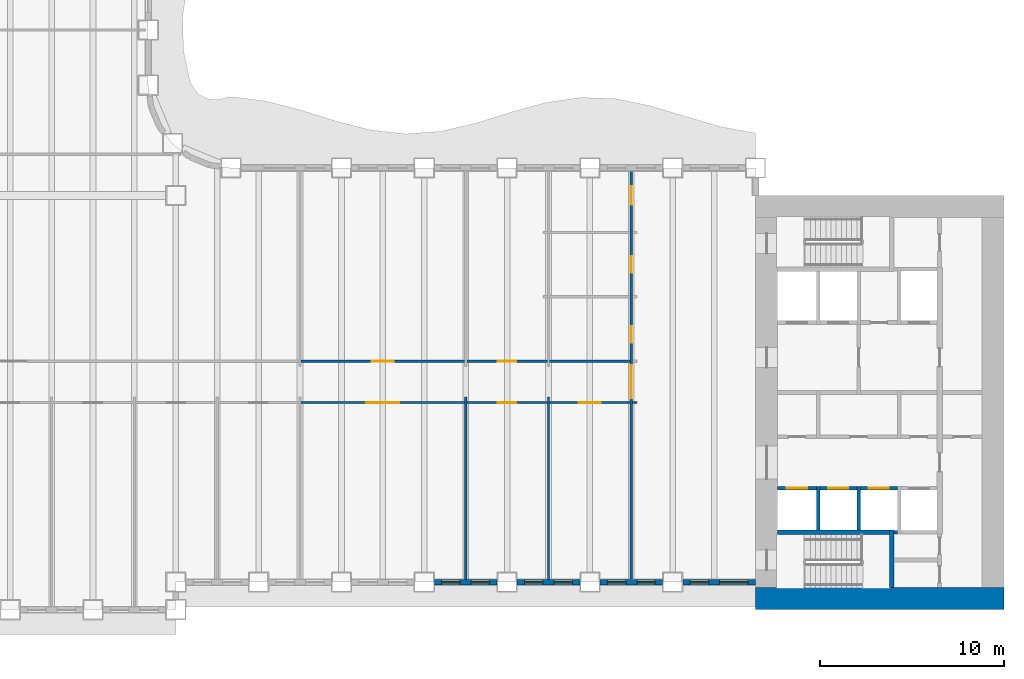
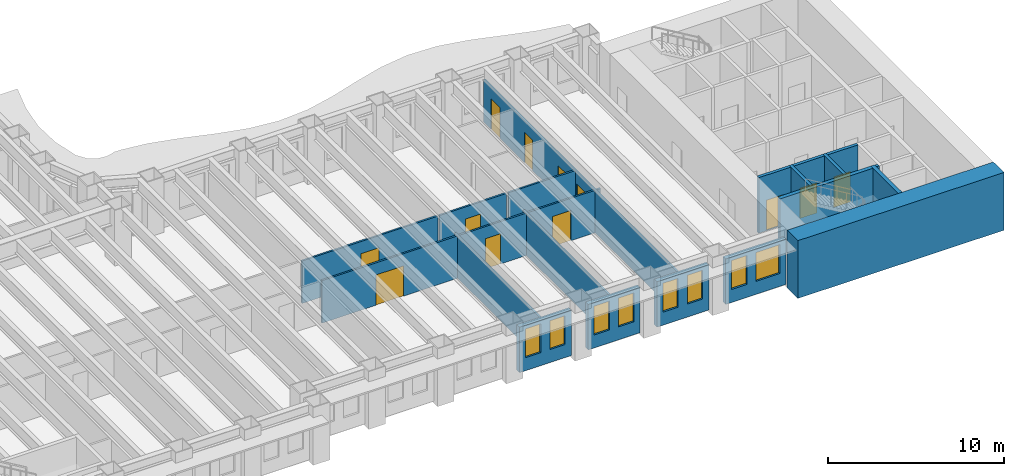
# One storey, part 5 of 16: 23 walls, 12 doors, 8 windows, 20 openings.
"""IFC4 building model written with IfcOpenShell, lengths in metres."""

from ifc_helpers import new_model, si_unit, direction, frame, frame_2d, origin, place, context, subcontext, project, spatial, rectangle, extrude, material, layer, layer_set, type_object, element, fill, save


model = new_model("IFC4")

# Units and contexts
model_context = context("Model", 3, precision=1e-05, world=origin(), true_north=direction((0.0, 1.0)))
body_context = subcontext(model_context, "Body", "Model", "MODEL_VIEW")
ifc_project = project(units=[si_unit("LENGTHUNIT", "METRE"), si_unit("AREAUNIT", "SQUARE_METRE"), si_unit("VOLUMEUNIT", "CUBIC_METRE"), si_unit("PLANEANGLEUNIT", "RADIAN"), si_unit("MASSUNIT", "GRAM", prefix="KILO")], contexts=[model_context])

# Site, building, storey
site_placement = place(None, origin())
site = spatial("IfcSite", under=ifc_project, at=site_placement, CompositionType="ELEMENT")
building_placement = place(site_placement, origin())
building = spatial("IfcBuilding", under=site, at=building_placement, Name="Sennacour Bend Tower", CompositionType="ELEMENT")
storey_placement = place(building_placement, frame((0.0, 0.0, 45.0)))
storey = spatial("IfcBuildingStorey", under=building, at=storey_placement, Name="L09", CompositionType="ELEMENT", Elevation=45.0)

# Walls
ifc_material_1 = material(Name="Concrete C80/95", Category="concrete")
ifc_layer_1 = layer(ifc_material_1, 1.199951171875, Name="Concrete C80/95", Category="concrete")
ifc_layer_set_1 = layer_set([ifc_layer_1], Name="Concrete C80/95")
wall_type_1 = type_object("IfcWallType", Name="Core wall 1200 C80/95", PredefinedType="SHEAR", material=ifc_layer_set_1)
wall_1_placement = place(storey_placement, frame((67.5, 0.60009765625, -0.14990234375), z_axis=(0.0, 0.0, 1.0), x_axis=(-1.0, 0.0, 0.0)))
element("IfcWall", 1, at=wall_1_placement, inside=storey, type_object=wall_type_1, Name="Core A wall L09 S", PredefinedType="SHEAR", context=body_context, shape_type="SweptSolid", body=[
    extrude(rectangle(XDim=13.5, YDim=1.199951171875, at=frame_2d((6.75, 0.0))), origin(), (0.0, 0.0, 1.0), 4.0),
])
ifc_material_2 = material(Name="Plasterboard partition on steel studs", Category="steel")
ifc_layer_2 = layer(ifc_material_2, 0.1201171875, Name="Plasterboard partition on steel studs", Category="steel")
ifc_layer_set_2 = layer_set([ifc_layer_2], Name="Plasterboard partition on steel studs")
wall_type_2 = type_object("IfcWallType", Name="Partition 120", PredefinedType="PARTITIONING", material=ifc_layer_set_2)
for number, where, z_axis, x_axis, name in (
    (2, (38.25, 1.64990234375, 0.0), (0.0, 0.0, 1.0), (0.0, 1.0, 0.0), "P-L09-W028a"),
    (3, (42.75, 1.64990234375, 0.0), (0.0, 0.0, 1.0), (0.0, 1.0, 0.0), "P-L09-W030a"),
):
    element("IfcWall", number, at=place(storey_placement, frame(where, z_axis=z_axis, x_axis=x_axis)), inside=storey, type_object=wall_type_2, Name=name, PredefinedType="PARTITIONING", context=body_context, shape_type="SweptSolid", body=[
        extrude(rectangle(XDim=9.900146484375, YDim=0.1201171875, at=frame_2d((4.9501953125, 0.0))), origin(), (0.0, 0.0, 1.0), 2.93798828125),
    ])

# Wall, opening, door
wall_2_placement = place(storey_placement, frame((29.31005859375, 11.25, 0.0), z_axis=(0.0, 0.0, 1.0), x_axis=(1.0, 0.0, 0.0)))
wall_2 = element("IfcWall", 4, at=wall_2_placement, inside=storey, type_object=wall_type_2, Name="P-L09-W059af", PredefinedType="PARTITIONING", context=body_context, shape_type="SweptSolid", body=[
    extrude(rectangle(XDim=8.8798828125, YDim=0.1201171875, at=frame_2d((4.43994140625, 0.0))), origin(), (0.0, 0.0, 1.0), 2.93798828125),
])
opening_1_placement = place(wall_2_placement, frame((3.539794921875, 0.0, 0.0)))
opening_1 = element("IfcOpeningElement", 5, at=opening_1_placement, cuts=wall_2, Name="Opening OD3", PredefinedType="OPENING", context=body_context, shape_type="SweptSolid", body=[
    extrude(rectangle(XDim=1.800048828125, YDim=2.10009765625, at=frame_2d((0.89990234375, 1.050048828125))), frame((0.0, 0.070068359375, 0.0), z_axis=(0.0, -1.0, 0.0), x_axis=(1.0, 0.0, 0.0)), (0.0, 0.0, 1.0), 0.14013671875),
])
ifc_material_3 = material(Name="Timber", Category="wood")
door_type_1 = type_object("IfcDoorType", Name="DR-OFFICE-1800", OperationType="NOTDEFINED", PredefinedType="DOOR", material=ifc_material_3)
door_1_placement = place(opening_1_placement, origin())
door_1 = element("IfcDoor", 6, at=door_1_placement, inside=storey, type_object=door_type_1, Name="Door", OperationType="DOUBLE_DOOR_SINGLE_SWING", OverallHeight=2.10009765625, OverallWidth=1.800048828125, PredefinedType="DOOR", context=body_context, shape_type="SweptSolid", body=[
    extrude(rectangle(XDim=1.800048828125, YDim=2.10009765625, at=frame_2d((0.89990234375, 1.050048828125))), frame((0.0, 0.02490234375, 0.0), z_axis=(0.0, -1.0, 0.0), x_axis=(1.0, 0.0, 0.0)), (0.0, 0.0, 1.0), 0.050048828125),
])
fill(opening_1, door_1)

wall_3_placement = place(storey_placement, frame((38.31005859375, 11.25, 0.0), z_axis=(0.0, 0.0, 1.0), x_axis=(1.0, 0.0, 0.0)))
wall_3 = element("IfcWall", 7, at=wall_3_placement, inside=storey, type_object=wall_type_2, Name="P-L09-W059ag", PredefinedType="PARTITIONING", context=body_context, shape_type="SweptSolid", body=[
    extrude(rectangle(XDim=4.3798828125, YDim=0.1201171875, at=frame_2d((2.18994140625, 0.0))), origin(), (0.0, 0.0, 1.0), 2.93798828125),
])
opening_2_placement = place(wall_3_placement, frame((1.68994140625, 0.0, 0.0)))
opening_2 = element("IfcOpeningElement", 8, at=opening_2_placement, cuts=wall_3, Name="Opening OD2", PredefinedType="OPENING", context=body_context, shape_type="SweptSolid", body=[
    extrude(rectangle(XDim=1.0, YDim=2.10009765625, at=frame_2d((0.5, 1.050048828125))), frame((0.0, 0.070068359375, 0.0), z_axis=(0.0, -1.0, 0.0), x_axis=(1.0, 0.0, 0.0)), (0.0, 0.0, 1.0), 0.14013671875),
])
door_type_2 = type_object("IfcDoorType", Name="DR-OFFICE-1000", OperationType="NOTDEFINED", PredefinedType="DOOR", material=ifc_material_3)
door_2_placement = place(opening_2_placement, origin())
door_2 = element("IfcDoor", 9, at=door_2_placement, inside=storey, type_object=door_type_2, Name="Door", OperationType="SINGLE_SWING_LEFT", OverallHeight=2.10009765625, OverallWidth=1.0, PredefinedType="DOOR", context=body_context, shape_type="SweptSolid", body=[
    extrude(rectangle(XDim=1.0, YDim=2.10009765625, at=frame_2d((0.5, 1.050048828125))), frame((0.0, 0.02490234375, 0.0), z_axis=(0.0, -1.0, 0.0), x_axis=(1.0, 0.0, 0.0)), (0.0, 0.0, 1.0), 0.050048828125),
])
fill(opening_2, door_2)

wall_4_placement = place(storey_placement, frame((42.81005859375, 11.25, 0.0), z_axis=(0.0, 0.0, 1.0), x_axis=(1.0, 0.0, 0.0)))
wall_4 = element("IfcWall", 10, at=wall_4_placement, inside=storey, type_object=wall_type_2, Name="P-L09-W059ah", PredefinedType="PARTITIONING", context=body_context, shape_type="SweptSolid", body=[
    extrude(rectangle(XDim=4.3798828125, YDim=0.1201171875, at=frame_2d((2.18994140625, 0.0))), origin(), (0.0, 0.0, 1.0), 2.93798828125),
])
opening_3_placement = place(wall_4_placement, frame((1.58984375, 0.0, 0.0)))
opening_3 = element("IfcOpeningElement", 11, at=opening_3_placement, cuts=wall_4, Name="Opening OD", PredefinedType="OPENING", context=body_context, shape_type="SweptSolid", body=[
    extrude(rectangle(XDim=1.199951171875, YDim=2.10009765625, at=frame_2d((0.60009765625, 1.050048828125))), frame((0.0, 0.070068359375, 0.0), z_axis=(0.0, -1.0, 0.0), x_axis=(1.0, 0.0, 0.0)), (0.0, 0.0, 1.0), 0.14013671875),
])
door_type_3 = type_object("IfcDoorType", Name="DR-OFFICE-1200", OperationType="NOTDEFINED", PredefinedType="DOOR", material=ifc_material_3)
door_3_placement = place(opening_3_placement, origin())
door_3 = element("IfcDoor", 12, at=door_3_placement, inside=storey, type_object=door_type_3, Name="Door", OperationType="SINGLE_SWING_LEFT", OverallHeight=2.10009765625, OverallWidth=1.199951171875, PredefinedType="DOOR", context=body_context, shape_type="SweptSolid", body=[
    extrude(rectangle(XDim=1.199951171875, YDim=2.10009765625, at=frame_2d((0.60009765625, 1.050048828125))), frame((0.0, 0.02490234375, 0.0), z_axis=(0.0, -1.0, 0.0), x_axis=(1.0, 0.0, 0.0)), (0.0, 0.0, 1.0), 0.050048828125),
])
fill(opening_3, door_3)

# Wall
wall_5_placement = place(storey_placement, frame((47.31005859375, 11.25, 0.0), z_axis=(0.0, 0.0, 1.0), x_axis=(1.0, 0.0, 0.0)))
element("IfcWall", 13, at=wall_5_placement, inside=storey, type_object=wall_type_2, Name="P-L09-W059ai", PredefinedType="PARTITIONING", context=body_context, shape_type="SweptSolid", body=[
    extrude(rectangle(XDim=0.239990234375, YDim=0.1201171875, at=frame_2d((0.1201171875, 0.0))), origin(), (0.0, 0.0, 1.0), 2.93798828125),
])

# Wall, opening, door
wall_6_placement = place(storey_placement, frame((29.31005859375, 13.5, 0.0), z_axis=(0.0, 0.0, 1.0), x_axis=(1.0, 0.0, 0.0)))
wall_6 = element("IfcWall", 14, at=wall_6_placement, inside=storey, type_object=wall_type_2, Name="P-L09-W061ad", PredefinedType="PARTITIONING", context=body_context, shape_type="SweptSolid", body=[
    extrude(rectangle(XDim=8.8798828125, YDim=0.1201171875, at=frame_2d((4.43994140625, 0.0))), origin(), (0.0, 0.0, 1.0), 2.93798828125),
])
opening_4_placement = place(wall_6_placement, frame((3.83984375, 0.0, 0.0)))
opening_4 = element("IfcOpeningElement", 15, at=opening_4_placement, cuts=wall_6, Name="Opening OD", PredefinedType="OPENING", context=body_context, shape_type="SweptSolid", body=[
    extrude(rectangle(XDim=1.199951171875, YDim=2.10009765625, at=frame_2d((0.60009765625, 1.050048828125))), frame((0.0, 0.070068359375, 0.0), z_axis=(0.0, -1.0, 0.0), x_axis=(1.0, 0.0, 0.0)), (0.0, 0.0, 1.0), 0.14013671875),
])
door_4_placement = place(opening_4_placement, origin())
door_4 = element("IfcDoor", 16, at=door_4_placement, inside=storey, type_object=door_type_3, Name="Door", OperationType="SINGLE_SWING_LEFT", OverallHeight=2.10009765625, OverallWidth=1.199951171875, PredefinedType="DOOR", context=body_context, shape_type="SweptSolid", body=[
    extrude(rectangle(XDim=1.199951171875, YDim=2.10009765625, at=frame_2d((0.60009765625, 1.050048828125))), frame((0.0, 0.02490234375, 0.0), z_axis=(0.0, -1.0, 0.0), x_axis=(1.0, 0.0, 0.0)), (0.0, 0.0, 1.0), 0.050048828125),
])
fill(opening_4, door_4)

wall_7_placement = place(storey_placement, frame((38.31005859375, 13.5, 0.0), z_axis=(0.0, 0.0, 1.0), x_axis=(1.0, 0.0, 0.0)))
wall_7 = element("IfcWall", 17, at=wall_7_placement, inside=storey, type_object=wall_type_2, Name="P-L09-W061ae", PredefinedType="PARTITIONING", context=body_context, shape_type="SweptSolid", body=[
    extrude(rectangle(XDim=4.3798828125, YDim=0.1201171875, at=frame_2d((2.18994140625, 0.0))), origin(), (0.0, 0.0, 1.0), 2.93798828125),
])
opening_5_placement = place(wall_7_placement, frame((1.68994140625, 0.0, 0.0)))
opening_5 = element("IfcOpeningElement", 18, at=opening_5_placement, cuts=wall_7, Name="Opening OD2", PredefinedType="OPENING", context=body_context, shape_type="SweptSolid", body=[
    extrude(rectangle(XDim=1.0, YDim=2.10009765625, at=frame_2d((0.5, 1.050048828125))), frame((0.0, 0.070068359375, 0.0), z_axis=(0.0, -1.0, 0.0), x_axis=(1.0, 0.0, 0.0)), (0.0, 0.0, 1.0), 0.14013671875),
])
door_5_placement = place(opening_5_placement, origin())
door_5 = element("IfcDoor", 19, at=door_5_placement, inside=storey, type_object=door_type_2, Name="Door", OperationType="SINGLE_SWING_LEFT", OverallHeight=2.10009765625, OverallWidth=1.0, PredefinedType="DOOR", context=body_context, shape_type="SweptSolid", body=[
    extrude(rectangle(XDim=1.0, YDim=2.10009765625, at=frame_2d((0.5, 1.050048828125))), frame((0.0, 0.02490234375, 0.0), z_axis=(0.0, -1.0, 0.0), x_axis=(1.0, 0.0, 0.0)), (0.0, 0.0, 1.0), 0.050048828125),
])
fill(opening_5, door_5)

# Wall
wall_8_placement = place(storey_placement, frame((42.81005859375, 13.5, 0.0), z_axis=(0.0, 0.0, 1.0), x_axis=(1.0, 0.0, 0.0)))
element("IfcWall", 20, at=wall_8_placement, inside=storey, type_object=wall_type_2, Name="P-L09-W061af", PredefinedType="PARTITIONING", context=body_context, shape_type="SweptSolid", body=[
    extrude(rectangle(XDim=4.3798828125, YDim=0.1201171875, at=frame_2d((2.18994140625, 0.0))), origin(), (0.0, 0.0, 1.0), 2.93798828125),
])

# Wall, openings, doors
ifc_layer_3 = layer(ifc_material_2, 0.1201171875, Name="Plasterboard partition on steel studs", Category="steel")
ifc_layer_set_3 = layer_set([ifc_layer_3], Name="Plasterboard partition on steel studs")
wall_type_3 = type_object("IfcWallType", Name="Partition 120 EI 30", PredefinedType="PARTITIONING", material=ifc_layer_set_3)
wall_9_placement = place(storey_placement, frame((47.25, 1.64990234375, 0.0), z_axis=(0.0, 0.0, 1.0), x_axis=(0.0, 1.0, 0.0)))
wall_9 = element("IfcWall", 21, at=wall_9_placement, inside=storey, type_object=wall_type_3, Name="P-L09-W032a", PredefinedType="PARTITIONING", context=body_context, shape_type="SweptSolid", body=[
    extrude(rectangle(XDim=22.2001953125, YDim=0.1201171875, at=frame_2d((11.10009765625, 0.0))), origin(), (0.0, 0.0, 1.0), 2.93798828125),
])
opening_6_placement = place(wall_9_placement, frame((9.8251953125, 0.0, 0.0)))
opening_6 = element("IfcOpeningElement", 22, at=opening_6_placement, cuts=wall_9, Name="Opening KD3", PredefinedType="OPENING", context=body_context, shape_type="SweptSolid", body=[
    extrude(rectangle(XDim=1.800048828125, YDim=2.10009765625, at=frame_2d((0.89990234375, 1.050048828125))), frame((0.0, 0.070068359375, 0.0), z_axis=(0.0, -1.0, 0.0), x_axis=(1.0, 0.0, 0.0)), (0.0, 0.0, 1.0), 0.14013671875),
])
opening_7_placement = place(wall_9_placement, frame((12.85009765625, 0.0, 0.0)))
opening_7 = element("IfcOpeningElement", 23, at=opening_7_placement, cuts=wall_9, Name="Opening WD", PredefinedType="OPENING", context=body_context, shape_type="SweptSolid", body=[
    extrude(rectangle(XDim=0.89990234375, YDim=2.10009765625, at=frame_2d((0.449951171875, 1.050048828125))), frame((0.0, 0.070068359375, 0.0), z_axis=(0.0, -1.0, 0.0), x_axis=(1.0, 0.0, 0.0)), (0.0, 0.0, 1.0), 0.14013671875),
])
opening_8_placement = place(wall_9_placement, frame((16.650146484375, 0.0, 0.0)))
opening_8 = element("IfcOpeningElement", 24, at=opening_8_placement, cuts=wall_9, Name="Opening WD", PredefinedType="OPENING", context=body_context, shape_type="SweptSolid", body=[
    extrude(rectangle(XDim=0.89990234375, YDim=2.10009765625, at=frame_2d((0.449951171875, 1.050048828125))), frame((0.0, 0.070068359375, 0.0), z_axis=(0.0, -1.0, 0.0), x_axis=(1.0, 0.0, 0.0)), (0.0, 0.0, 1.0), 0.14013671875),
])
opening_9_placement = place(wall_9_placement, frame((20.35009765625, 0.0, 0.0)))
opening_9 = element("IfcOpeningElement", 25, at=opening_9_placement, cuts=wall_9, Name="Opening AD", PredefinedType="OPENING", context=body_context, shape_type="SweptSolid", body=[
    extrude(rectangle(XDim=1.0, YDim=2.10009765625, at=frame_2d((0.5, 1.050048828125))), frame((0.0, 0.070068359375, 0.0), z_axis=(0.0, -1.0, 0.0), x_axis=(1.0, 0.0, 0.0)), (0.0, 0.0, 1.0), 0.14013671875),
])
door_type_4 = type_object("IfcDoorType", Name="DR-ACC-WC-1000", OperationType="NOTDEFINED", PredefinedType="DOOR", material=ifc_material_3)
door_6_placement = place(opening_9_placement, origin())
door_6 = element("IfcDoor", 26, at=door_6_placement, inside=storey, type_object=door_type_4, Name="Door", OperationType="SINGLE_SWING_RIGHT", OverallHeight=2.10009765625, OverallWidth=1.0, PredefinedType="DOOR", context=body_context, shape_type="SweptSolid", body=[
    extrude(rectangle(XDim=1.0, YDim=2.10009765625, at=frame_2d((0.5, 1.050048828125))), frame((0.0, 0.02490234375, 0.0), z_axis=(0.0, -1.0, 0.0), x_axis=(1.0, 0.0, 0.0)), (0.0, 0.0, 1.0), 0.050048828125),
])
fill(opening_9, door_6)
ifc_material_4 = material(Name="Painted steel", Category="steel")
door_type_5 = type_object("IfcDoorType", Name="DR-CORRIDOR-1800", OperationType="NOTDEFINED", PredefinedType="DOOR", material=ifc_material_4)
door_7_placement = place(opening_6_placement, origin())
door_7 = element("IfcDoor", 27, at=door_7_placement, inside=storey, type_object=door_type_5, Name="Door", OperationType="DOUBLE_DOOR_SINGLE_SWING", OverallHeight=2.10009765625, OverallWidth=1.800048828125, PredefinedType="DOOR", context=body_context, shape_type="SweptSolid", body=[
    extrude(rectangle(XDim=1.800048828125, YDim=2.10009765625, at=frame_2d((0.89990234375, 1.050048828125))), frame((0.0, 0.02490234375, 0.0), z_axis=(0.0, -1.0, 0.0), x_axis=(1.0, 0.0, 0.0)), (0.0, 0.0, 1.0), 0.050048828125),
])
fill(opening_6, door_7)
door_type_6 = type_object("IfcDoorType", Name="DR-WC-900", OperationType="NOTDEFINED", PredefinedType="DOOR", material=ifc_material_3)
door_8_placement = place(opening_7_placement, origin())
door_8 = element("IfcDoor", 28, at=door_8_placement, inside=storey, type_object=door_type_6, Name="Door", OperationType="SINGLE_SWING_RIGHT", OverallHeight=2.10009765625, OverallWidth=0.89990234375, PredefinedType="DOOR", context=body_context, shape_type="SweptSolid", body=[
    extrude(rectangle(XDim=0.89990234375, YDim=2.10009765625, at=frame_2d((0.449951171875, 1.050048828125))), frame((0.0, 0.02490234375, 0.0), z_axis=(0.0, -1.0, 0.0), x_axis=(1.0, 0.0, 0.0)), (0.0, 0.0, 1.0), 0.050048828125),
])
fill(opening_7, door_8)
door_9_placement = place(opening_8_placement, origin())
door_9 = element("IfcDoor", 29, at=door_9_placement, inside=storey, type_object=door_type_6, Name="Door", OperationType="SINGLE_SWING_RIGHT", OverallHeight=2.10009765625, OverallWidth=0.89990234375, PredefinedType="DOOR", context=body_context, shape_type="SweptSolid", body=[
    extrude(rectangle(XDim=0.89990234375, YDim=2.10009765625, at=frame_2d((0.449951171875, 1.050048828125))), frame((0.0, 0.02490234375, 0.0), z_axis=(0.0, -1.0, 0.0), x_axis=(1.0, 0.0, 0.0)), (0.0, 0.0, 1.0), 0.050048828125),
])
fill(opening_8, door_9)

# Wall, openings, windows
ifc_material_5 = material(Name="Warm limestone cladding", Category="masonry")
ifc_layer_4 = layer(ifc_material_5, 0.050048828125, Name="Warm limestone cladding", Category="masonry")
ifc_material_6 = material(Name="Precast concrete C40/50", Category="concrete")
ifc_layer_5 = layer(ifc_material_6, 0.25, Name="Precast concrete C40/50", Category="concrete")
ifc_layer_set_4 = layer_set([ifc_layer_4, ifc_layer_5], Name="Precast concrete C40/50 with limestone cladding")
wall_type_4 = type_object("IfcWallType", Name="STONE-CLAD PRECAST SPANDREL 300", PredefinedType="STANDARD", material=ifc_layer_set_4)
wall_10_placement = place(storey_placement, frame((36.550048828125, 1.5, 0.0), z_axis=(0.0, 0.0, 1.0), x_axis=(1.0, 0.0, 0.0)))
wall_10 = element("IfcWall", 30, at=wall_10_placement, inside=storey, type_object=wall_type_4, Name="Stone spandrel and pier wall L09 02.03", PredefinedType="STANDARD", context=body_context, shape_type="SweptSolid", body=[
    extrude(rectangle(XDim=3.39990234375, YDim=0.300048828125, at=frame_2d((1.699951171875, 0.0))), origin(), (0.0, 0.0, 1.0), 3.14404296875),
])
opening_10_placement = place(wall_10_placement, frame((0.39990234375, 0.0, 0.89990234375)))
opening_10 = element("IfcOpeningElement", 31, at=opening_10_placement, cuts=wall_10, Name="Opening W8", PredefinedType="OPENING", context=body_context, shape_type="SweptSolid", body=[
    extrude(rectangle(XDim=1.0, YDim=2.0, at=frame_2d((0.5, 1.0))), frame((0.0, 0.16015625, 0.0), z_axis=(0.0, -1.0, 0.0), x_axis=(1.0, 0.0, 0.0)), (0.0, 0.0, 1.0), 0.320068359375),
])
opening_11_placement = place(wall_10_placement, frame((2.0, 0.0, 0.89990234375)))
opening_11 = element("IfcOpeningElement", 32, at=opening_11_placement, cuts=wall_10, Name="Opening W8", PredefinedType="OPENING", context=body_context, shape_type="SweptSolid", body=[
    extrude(rectangle(XDim=1.0, YDim=2.0, at=frame_2d((0.5, 1.0))), frame((0.0, 0.16015625, 0.0), z_axis=(0.0, -1.0, 0.0), x_axis=(1.0, 0.0, 0.0)), (0.0, 0.0, 1.0), 0.320068359375),
])
ifc_material_7 = material(Name="Clear low-emissivity glass", Category="glass")
window_type_1 = type_object("IfcWindowType", Name="WIN-RIBBON-1000x2000", PartitioningType="SINGLE_PANEL", PredefinedType="WINDOW", material=ifc_material_7)
window_1_placement = place(opening_10_placement, origin())
window_1 = element("IfcWindow", 33, at=window_1_placement, inside=storey, type_object=window_type_1, Name="Ribbon window L09 02.03.0", OverallHeight=2.0, OverallWidth=1.0, PartitioningType="SINGLE_PANEL", PredefinedType="WINDOW", context=body_context, shape_type="SweptSolid", body=[
    extrude(rectangle(XDim=1.0, YDim=2.0, at=frame_2d((0.5, 1.0))), frame((0.0, 0.030029296875, 0.0), z_axis=(0.0, -1.0, 0.0), x_axis=(1.0, 0.0, 0.0)), (0.0, 0.0, 1.0), 0.06005859375),
])
fill(opening_10, window_1)
window_2_placement = place(opening_11_placement, origin())
window_2 = element("IfcWindow", 34, at=window_2_placement, inside=storey, type_object=window_type_1, Name="Ribbon window L09 02.03.1", OverallHeight=2.0, OverallWidth=1.0, PartitioningType="SINGLE_PANEL", PredefinedType="WINDOW", context=body_context, shape_type="SweptSolid", body=[
    extrude(rectangle(XDim=1.0, YDim=2.0, at=frame_2d((0.5, 1.0))), frame((0.0, 0.030029296875, 0.0), z_axis=(0.0, -1.0, 0.0), x_axis=(1.0, 0.0, 0.0)), (0.0, 0.0, 1.0), 0.06005859375),
])
fill(opening_11, window_2)

wall_11_placement = place(storey_placement, frame((41.050048828125, 1.5, 0.0), z_axis=(0.0, 0.0, 1.0), x_axis=(1.0, 0.0, 0.0)))
wall_11 = element("IfcWall", 35, at=wall_11_placement, inside=storey, type_object=wall_type_4, Name="Stone spandrel and pier wall L09 02.04", PredefinedType="STANDARD", context=body_context, shape_type="SweptSolid", body=[
    extrude(rectangle(XDim=3.39990234375, YDim=0.300048828125, at=frame_2d((1.699951171875, 0.0))), origin(), (0.0, 0.0, 1.0), 3.14404296875),
])
opening_12_placement = place(wall_11_placement, frame((0.39990234375, 0.0, 0.89990234375)))
opening_12 = element("IfcOpeningElement", 36, at=opening_12_placement, cuts=wall_11, Name="Opening W8", PredefinedType="OPENING", context=body_context, shape_type="SweptSolid", body=[
    extrude(rectangle(XDim=1.0, YDim=2.0, at=frame_2d((0.5, 1.0))), frame((0.0, 0.16015625, 0.0), z_axis=(0.0, -1.0, 0.0), x_axis=(1.0, 0.0, 0.0)), (0.0, 0.0, 1.0), 0.320068359375),
])
opening_13_placement = place(wall_11_placement, frame((2.0, 0.0, 0.89990234375)))
opening_13 = element("IfcOpeningElement", 37, at=opening_13_placement, cuts=wall_11, Name="Opening W8", PredefinedType="OPENING", context=body_context, shape_type="SweptSolid", body=[
    extrude(rectangle(XDim=1.0, YDim=2.0, at=frame_2d((0.5, 1.0))), frame((0.0, 0.16015625, 0.0), z_axis=(0.0, -1.0, 0.0), x_axis=(1.0, 0.0, 0.0)), (0.0, 0.0, 1.0), 0.320068359375),
])
window_3_placement = place(opening_12_placement, origin())
window_3 = element("IfcWindow", 38, at=window_3_placement, inside=storey, type_object=window_type_1, Name="Ribbon window L09 02.04.0", OverallHeight=2.0, OverallWidth=1.0, PartitioningType="SINGLE_PANEL", PredefinedType="WINDOW", context=body_context, shape_type="SweptSolid", body=[
    extrude(rectangle(XDim=1.0, YDim=2.0, at=frame_2d((0.5, 1.0))), frame((0.0, 0.030029296875, 0.0), z_axis=(0.0, -1.0, 0.0), x_axis=(1.0, 0.0, 0.0)), (0.0, 0.0, 1.0), 0.06005859375),
])
fill(opening_12, window_3)
window_4_placement = place(opening_13_placement, origin())
window_4 = element("IfcWindow", 39, at=window_4_placement, inside=storey, type_object=window_type_1, Name="Ribbon window L09 02.04.1", OverallHeight=2.0, OverallWidth=1.0, PartitioningType="SINGLE_PANEL", PredefinedType="WINDOW", context=body_context, shape_type="SweptSolid", body=[
    extrude(rectangle(XDim=1.0, YDim=2.0, at=frame_2d((0.5, 1.0))), frame((0.0, 0.030029296875, 0.0), z_axis=(0.0, -1.0, 0.0), x_axis=(1.0, 0.0, 0.0)), (0.0, 0.0, 1.0), 0.06005859375),
])
fill(opening_13, window_4)

wall_12_placement = place(storey_placement, frame((45.550048828125, 1.5, 0.0), z_axis=(0.0, 0.0, 1.0), x_axis=(1.0, 0.0, 0.0)))
wall_12 = element("IfcWall", 40, at=wall_12_placement, inside=storey, type_object=wall_type_4, Name="Stone spandrel and pier wall L09 02.05", PredefinedType="STANDARD", context=body_context, shape_type="SweptSolid", body=[
    extrude(rectangle(XDim=3.39990234375, YDim=0.300048828125, at=frame_2d((1.699951171875, 0.0))), origin(), (0.0, 0.0, 1.0), 3.14404296875),
])
opening_14_placement = place(wall_12_placement, frame((0.39990234375, 0.0, 0.89990234375)))
opening_14 = element("IfcOpeningElement", 41, at=opening_14_placement, cuts=wall_12, Name="Opening W8", PredefinedType="OPENING", context=body_context, shape_type="SweptSolid", body=[
    extrude(rectangle(XDim=1.0, YDim=2.0, at=frame_2d((0.5, 1.0))), frame((0.0, 0.16015625, 0.0), z_axis=(0.0, -1.0, 0.0), x_axis=(1.0, 0.0, 0.0)), (0.0, 0.0, 1.0), 0.320068359375),
])
opening_15_placement = place(wall_12_placement, frame((2.0, 0.0, 0.89990234375)))
opening_15 = element("IfcOpeningElement", 42, at=opening_15_placement, cuts=wall_12, Name="Opening W8", PredefinedType="OPENING", context=body_context, shape_type="SweptSolid", body=[
    extrude(rectangle(XDim=1.0, YDim=2.0, at=frame_2d((0.5, 1.0))), frame((0.0, 0.16015625, 0.0), z_axis=(0.0, -1.0, 0.0), x_axis=(1.0, 0.0, 0.0)), (0.0, 0.0, 1.0), 0.320068359375),
])
window_5_placement = place(opening_14_placement, origin())
window_5 = element("IfcWindow", 43, at=window_5_placement, inside=storey, type_object=window_type_1, Name="Ribbon window L09 02.05.0", OverallHeight=2.0, OverallWidth=1.0, PartitioningType="SINGLE_PANEL", PredefinedType="WINDOW", context=body_context, shape_type="SweptSolid", body=[
    extrude(rectangle(XDim=1.0, YDim=2.0, at=frame_2d((0.5, 1.0))), frame((0.0, 0.030029296875, 0.0), z_axis=(0.0, -1.0, 0.0), x_axis=(1.0, 0.0, 0.0)), (0.0, 0.0, 1.0), 0.06005859375),
])
fill(opening_14, window_5)
window_6_placement = place(opening_15_placement, origin())
window_6 = element("IfcWindow", 44, at=window_6_placement, inside=storey, type_object=window_type_1, Name="Ribbon window L09 02.05.1", OverallHeight=2.0, OverallWidth=1.0, PartitioningType="SINGLE_PANEL", PredefinedType="WINDOW", context=body_context, shape_type="SweptSolid", body=[
    extrude(rectangle(XDim=1.0, YDim=2.0, at=frame_2d((0.5, 1.0))), frame((0.0, 0.030029296875, 0.0), z_axis=(0.0, -1.0, 0.0), x_axis=(1.0, 0.0, 0.0)), (0.0, 0.0, 1.0), 0.06005859375),
])
fill(opening_15, window_6)

wall_13_placement = place(storey_placement, frame((50.050048828125, 1.5, 0.0), z_axis=(0.0, 0.0, 1.0), x_axis=(1.0, 0.0, 0.0)))
wall_13 = element("IfcWall", 45, at=wall_13_placement, inside=storey, type_object=wall_type_4, Name="Stone spandrel and pier wall L09 02.06", PredefinedType="STANDARD", context=body_context, shape_type="SweptSolid", body=[
    extrude(rectangle(XDim=3.949951171875, YDim=0.300048828125, at=frame_2d((1.97509765625, 0.0))), origin(), (0.0, 0.0, 1.0), 3.14404296875),
])
opening_16_placement = place(wall_13_placement, frame((0.39990234375, 0.0, 0.89990234375)))
opening_16 = element("IfcOpeningElement", 46, at=opening_16_placement, cuts=wall_13, Name="Opening W8", PredefinedType="OPENING", context=body_context, shape_type="SweptSolid", body=[
    extrude(rectangle(XDim=1.0, YDim=2.0, at=frame_2d((0.5, 1.0))), frame((0.0, 0.16015625, 0.0), z_axis=(0.0, -1.0, 0.0), x_axis=(1.0, 0.0, 0.0)), (0.0, 0.0, 1.0), 0.320068359375),
])
opening_17_placement = place(wall_13_placement, frame((2.0, 0.0, 0.89990234375)))
opening_17 = element("IfcOpeningElement", 47, at=opening_17_placement, cuts=wall_13, Name="Opening W9", PredefinedType="OPENING", context=body_context, shape_type="SweptSolid", body=[
    extrude(rectangle(XDim=1.550048828125, YDim=2.0, at=frame_2d((0.77490234375, 1.0))), frame((0.0, 0.16015625, 0.0), z_axis=(0.0, -1.0, 0.0), x_axis=(1.0, 0.0, 0.0)), (0.0, 0.0, 1.0), 0.320068359375),
])
window_7_placement = place(opening_16_placement, origin())
window_7 = element("IfcWindow", 48, at=window_7_placement, inside=storey, type_object=window_type_1, Name="Ribbon window L09 02.06.0", OverallHeight=2.0, OverallWidth=1.0, PartitioningType="SINGLE_PANEL", PredefinedType="WINDOW", context=body_context, shape_type="SweptSolid", body=[
    extrude(rectangle(XDim=1.0, YDim=2.0, at=frame_2d((0.5, 1.0))), frame((0.0, 0.030029296875, 0.0), z_axis=(0.0, -1.0, 0.0), x_axis=(1.0, 0.0, 0.0)), (0.0, 0.0, 1.0), 0.06005859375),
])
fill(opening_16, window_7)
window_type_2 = type_object("IfcWindowType", Name="WIN-RIBBON-1550x2000", PartitioningType="SINGLE_PANEL", PredefinedType="WINDOW", material=ifc_material_7)
window_8_placement = place(opening_17_placement, origin())
window_8 = element("IfcWindow", 49, at=window_8_placement, inside=storey, type_object=window_type_2, Name="Ribbon window L09 02.06.1", OverallHeight=2.0, OverallWidth=1.550048828125, PartitioningType="SINGLE_PANEL", PredefinedType="WINDOW", context=body_context, shape_type="SweptSolid", body=[
    extrude(rectangle(XDim=1.550048828125, YDim=2.0, at=frame_2d((0.77490234375, 1.0))), frame((0.0, 0.030029296875, 0.0), z_axis=(0.0, -1.0, 0.0), x_axis=(1.0, 0.0, 0.0)), (0.0, 0.0, 1.0), 0.06005859375),
])
fill(opening_17, window_8)

# Walls
ifc_material_8 = material(Name="Concrete C50/60", Category="concrete")
ifc_layer_6 = layer(ifc_material_8, 0.199951171875, Name="Concrete C50/60", Category="concrete")
ifc_layer_set_5 = layer_set([ifc_layer_6], Name="Concrete C50/60")
wall_type_5 = type_object("IfcWallType", Name="Shaft wall 200", PredefinedType="SOLIDWALL", material=ifc_layer_set_5)
for number, where, z_axis, x_axis, name in (
    (50, (57.39990234375, 4.324951171875, 0.0), (0.0, 0.0, 1.0), (0.0, 1.0, 0.0), "P-L09-W034"),
    (51, (59.60009765625, 4.324951171875, 0.0), (0.0, 0.0, 1.0), (0.0, 1.0, 0.0), "P-L09-W037"),
):
    element("IfcWall", number, at=place(storey_placement, frame(where, z_axis=z_axis, x_axis=x_axis)), inside=storey, type_object=wall_type_5, Name=name, PredefinedType="SOLIDWALL", context=body_context, shape_type="SweptSolid", body=[
        extrude(rectangle(XDim=2.375, YDim=0.199951171875, at=frame_2d((1.1875, 0.0))), origin(), (0.0, 0.0, 1.0), 3.85009765625),
    ])
wall_14_placement = place(storey_placement, frame((61.52490234375, 4.199951171875, 0.0), z_axis=(0.0, 0.0, 1.0), x_axis=(1.0, 0.0, 0.0)))
element("IfcWall", 52, at=wall_14_placement, inside=storey, type_object=wall_type_5, Name="P-L09-W056a", PredefinedType="SOLIDWALL", context=body_context, shape_type="SweptSolid", body=[
    extrude(rectangle(XDim=0.175048828125, YDim=0.199951171875, at=frame_2d((0.08740234375, 0.0))), origin(), (0.0, 0.0, 1.0), 3.85009765625),
])

# Wall, opening, door
wall_15_placement = place(storey_placement, frame((55.199951171875, 6.60009765625, 0.0), z_axis=(0.0, 0.0, 1.0), x_axis=(1.0, 0.0, 0.0)))
wall_15 = element("IfcWall", 53, at=wall_15_placement, inside=storey, type_object=wall_type_5, Name="P-L09-W057a", PredefinedType="SOLIDWALL", context=body_context, shape_type="SweptSolid", body=[
    extrude(rectangle(XDim=2.10009765625, YDim=0.199951171875, at=frame_2d((1.050048828125, 0.0))), origin(), (0.0, 0.0, 1.0), 3.85009765625),
])
opening_18_placement = place(wall_15_placement, frame((0.5, 0.0, 0.011962890625)))
opening_18 = element("IfcOpeningElement", 54, at=opening_18_placement, cuts=wall_15, Name="Opening LD", PredefinedType="OPENING", context=body_context, shape_type="SweptSolid", body=[
    extrude(rectangle(XDim=1.10009765625, YDim=2.10009765625, at=frame_2d((0.550048828125, 1.050048828125))), frame((0.0, 0.10986328125, 0.0), z_axis=(0.0, -1.0, 0.0), x_axis=(1.0, 0.0, 0.0)), (0.0, 0.0, 1.0), 0.219970703125),
])
ifc_material_9 = material(Name="Stainless steel", Category="steel")
door_type_7 = type_object("IfcDoorType", Name="DR-LANDING-1100", OperationType="NOTDEFINED", PredefinedType="DOOR", material=ifc_material_9)
door_10_placement = place(opening_18_placement, origin())
door_10 = element("IfcDoor", 55, at=door_10_placement, inside=storey, type_object=door_type_7, Name="Lift landing door LA1", OperationType="SLIDING_TO_LEFT", OverallHeight=2.10009765625, OverallWidth=1.10009765625, PredefinedType="DOOR", context=body_context, shape_type="SweptSolid", body=[
    extrude(rectangle(XDim=1.10009765625, YDim=2.10009765625, at=frame_2d((0.550048828125, 1.050048828125))), frame((0.0, 0.02490234375, 0.0), z_axis=(0.0, -1.0, 0.0), x_axis=(1.0, 0.0, 0.0)), (0.0, 0.0, 1.0), 0.050048828125),
])
fill(opening_18, door_10)

wall_16_placement = place(storey_placement, frame((57.5, 6.60009765625, 0.0), z_axis=(0.0, 0.0, 1.0), x_axis=(1.0, 0.0, 0.0)))
wall_16 = element("IfcWall", 56, at=wall_16_placement, inside=storey, type_object=wall_type_5, Name="P-L09-W057b", PredefinedType="SOLIDWALL", context=body_context, shape_type="SweptSolid", body=[
    extrude(rectangle(XDim=2.0, YDim=0.199951171875, at=frame_2d((1.0, 0.0))), origin(), (0.0, 0.0, 1.0), 3.85009765625),
])
opening_19_placement = place(wall_16_placement, frame((0.449951171875, 0.0, 0.011962890625)))
opening_19 = element("IfcOpeningElement", 57, at=opening_19_placement, cuts=wall_16, Name="Opening LD", PredefinedType="OPENING", context=body_context, shape_type="SweptSolid", body=[
    extrude(rectangle(XDim=1.10009765625, YDim=2.10009765625, at=frame_2d((0.550048828125, 1.050048828125))), frame((0.0, 0.10986328125, 0.0), z_axis=(0.0, -1.0, 0.0), x_axis=(1.0, 0.0, 0.0)), (0.0, 0.0, 1.0), 0.219970703125),
])
door_11_placement = place(opening_19_placement, origin())
door_11 = element("IfcDoor", 58, at=door_11_placement, inside=storey, type_object=door_type_7, Name="Lift landing door LA2", OperationType="SLIDING_TO_RIGHT", OverallHeight=2.10009765625, OverallWidth=1.10009765625, PredefinedType="DOOR", context=body_context, shape_type="SweptSolid", body=[
    extrude(rectangle(XDim=1.10009765625, YDim=2.10009765625, at=frame_2d((0.550048828125, 1.050048828125))), frame((0.0, 0.02490234375, 0.0), z_axis=(0.0, -1.0, 0.0), x_axis=(1.0, 0.0, 0.0)), (0.0, 0.0, 1.0), 0.050048828125),
])
fill(opening_19, door_11)

wall_17_placement = place(storey_placement, frame((59.699951171875, 6.60009765625, 0.0), z_axis=(0.0, 0.0, 1.0), x_axis=(1.0, 0.0, 0.0)))
wall_17 = element("IfcWall", 59, at=wall_17_placement, inside=storey, type_object=wall_type_5, Name="P-L09-W057c", PredefinedType="SOLIDWALL", context=body_context, shape_type="SweptSolid", body=[
    extrude(rectangle(XDim=2.0, YDim=0.199951171875, at=frame_2d((1.0, 0.0))), origin(), (0.0, 0.0, 1.0), 3.85009765625),
])
opening_20_placement = place(wall_17_placement, frame((0.449951171875, 0.0, 0.011962890625)))
opening_20 = element("IfcOpeningElement", 60, at=opening_20_placement, cuts=wall_17, Name="Opening LD", PredefinedType="OPENING", context=body_context, shape_type="SweptSolid", body=[
    extrude(rectangle(XDim=1.10009765625, YDim=2.10009765625, at=frame_2d((0.550048828125, 1.050048828125))), frame((0.0, 0.10986328125, 0.0), z_axis=(0.0, -1.0, 0.0), x_axis=(1.0, 0.0, 0.0)), (0.0, 0.0, 1.0), 0.219970703125),
])
door_12_placement = place(opening_20_placement, origin())
door_12 = element("IfcDoor", 61, at=door_12_placement, inside=storey, type_object=door_type_7, Name="Lift landing door LA3", OperationType="SLIDING_TO_LEFT", OverallHeight=2.10009765625, OverallWidth=1.10009765625, PredefinedType="DOOR", context=body_context, shape_type="SweptSolid", body=[
    extrude(rectangle(XDim=1.10009765625, YDim=2.10009765625, at=frame_2d((0.550048828125, 1.050048828125))), frame((0.0, 0.02490234375, 0.0), z_axis=(0.0, -1.0, 0.0), x_axis=(1.0, 0.0, 0.0)), (0.0, 0.0, 1.0), 0.050048828125),
])
fill(opening_20, door_12)

# Walls
ifc_material_10 = material(Name="Concrete C60/75", Category="concrete")
ifc_layer_7 = layer(ifc_material_10, 0.25, Name="Concrete C60/75", Category="concrete")
ifc_layer_set_6 = layer_set([ifc_layer_7], Name="Concrete C60/75")
wall_type_6 = type_object("IfcWallType", Name="Stair wall 250", PredefinedType="SHEAR", material=ifc_layer_set_6)
wall_18_placement = place(storey_placement, frame((61.39990234375, 1.199951171875, 0.0), z_axis=(0.0, 0.0, 1.0), x_axis=(0.0, 1.0, 0.0)))
element("IfcWall", 62, at=wall_18_placement, inside=storey, type_object=wall_type_6, Name="P-L09-W040", PredefinedType="SHEAR", context=body_context, shape_type="SweptSolid", body=[
    extrude(rectangle(XDim=3.125, YDim=0.25, at=frame_2d((1.5625, 0.0))), origin(), (0.0, 0.0, 1.0), 3.85009765625),
])
wall_19_placement = place(storey_placement, frame((55.199951171875, 4.199951171875, 0.0), z_axis=(0.0, 0.0, 1.0), x_axis=(1.0, 0.0, 0.0)))
element("IfcWall", 63, at=wall_19_placement, inside=storey, type_object=wall_type_6, Name="P-L09-W055", PredefinedType="SHEAR", context=body_context, shape_type="SweptSolid", body=[
    extrude(rectangle(XDim=6.074951171875, YDim=0.25, at=frame_2d((3.03759765625, 0.0))), origin(), (0.0, 0.0, 1.0), 3.85009765625),
])

save(model, "model.ifc")
